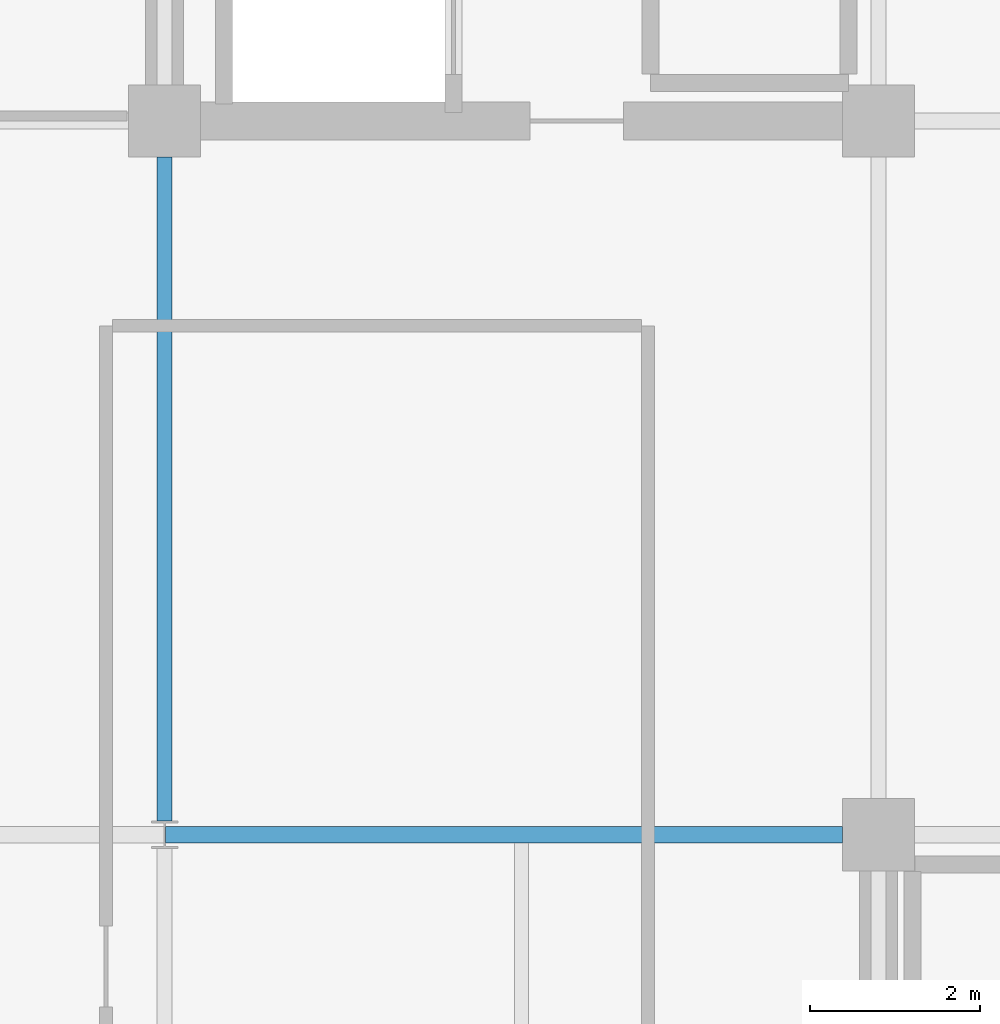
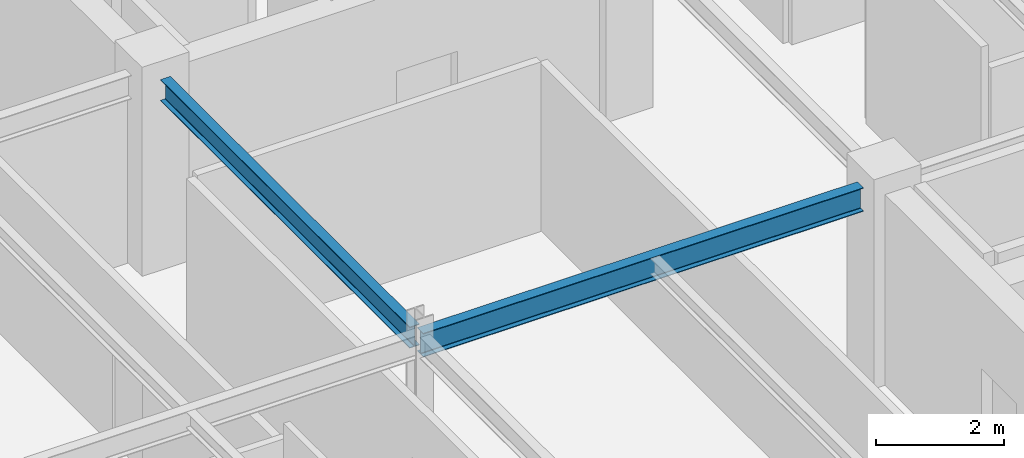
# One storey, part 10 of 26: 2 beams.
"""IFC4 building model written with IfcOpenShell, lengths in metres."""

from ifc_helpers import new_model, si_unit, direction, frame, origin, origin_2d, place, context, subcontext, project, spatial, i_section, extrude, material, material_profile, profile_set, type_object, element, save


model = new_model("IFC4")

# Units and contexts
model_context = context("Model", 3, precision=1e-05, world=origin(), true_north=direction((0.0, 1.0)))
body_context = subcontext(model_context, "Body", "Model", "MODEL_VIEW")
ifc_project = project(units=[si_unit("LENGTHUNIT", "METRE"), si_unit("AREAUNIT", "SQUARE_METRE"), si_unit("VOLUMEUNIT", "CUBIC_METRE"), si_unit("PLANEANGLEUNIT", "RADIAN"), si_unit("MASSUNIT", "GRAM", prefix="KILO")], contexts=[model_context])

# Site, building, storey
site_placement = place(None, origin())
site = spatial("IfcSite", under=ifc_project, at=site_placement, CompositionType="ELEMENT")
building_placement = place(site_placement, origin())
building = spatial("IfcBuilding", under=site, at=building_placement, Name="Nerrivon Quay Data Exchange", CompositionType="ELEMENT")
storey_placement = place(building_placement, frame((0.0, 0.0, 282.199951171875)))
storey = spatial("IfcBuildingStorey", under=building, at=storey_placement, Name="L67", CompositionType="ELEMENT", Elevation=282.199951171875)

# Beams
ifc_material = material(Name="Steel Grade 350", Category="steel")
ifc_material_profile_1 = material_profile(ifc_material, i_section(OverallWidth=0.18994140625, OverallDepth=0.4541015625, WebThickness=0.008544921875, FlangeThickness=0.0126953125, FilletRadius=0.011474609375, at=origin_2d()), Name="460UB67.1")
ifc_profile_set_1 = profile_set([ifc_material_profile_1], Name="Steel Grade 350")
beam_type_1 = type_object("IfcBeamType", Name="BM-G6-460UB67", PredefinedType="BEAM", material=ifc_profile_set_1)
beam_1_placement = place(storey_placement, frame((8.40771484375, 16.800048828125, 3.423095703125), z_axis=(1.0, 0.0, 0.0), x_axis=(0.0, 1.0, 0.0)))
element("IfcBeam", 1, at=beam_1_placement, inside=storey, type_object=beam_type_1, Name="L67 EW Girder Y=16.8 (8.4..16.8)", PredefinedType="BEAM", context=body_context, shape_type="SweptSolid", body=[
    extrude(i_section(OverallWidth=0.18994140625, OverallDepth=0.4541015625, WebThickness=0.008544921875, FlangeThickness=0.0126953125, FilletRadius=0.011474609375, at=origin_2d()), origin(), (0.0, 0.0, 1.0), 7.96728515625),
])
ifc_material_profile_2 = material_profile(ifc_material, i_section(OverallWidth=0.177978515625, OverallDepth=0.406005859375, WebThickness=0.0078125, FlangeThickness=0.0126953125, FilletRadius=0.011474609375, at=origin_2d()), Name="410UB59.7")
ifc_profile_set_2 = profile_set([ifc_material_profile_2], Name="Steel Grade 350")
beam_type_2 = type_object("IfcBeamType", Name="BM-J1-410UB60", PredefinedType="JOIST", material=ifc_profile_set_2)
beam_2_placement = place(storey_placement, frame((8.39990234375, 16.96337890625, 3.447021484375), z_axis=(0.0, 1.0, 0.0), x_axis=(-1.0, 0.0, 0.0)))
element("IfcBeam", 2, at=beam_2_placement, inside=storey, type_object=beam_type_2, Name="L67 NS Girder X=8.4 (16.8..25.2)", PredefinedType="JOIST", context=body_context, shape_type="SweptSolid", body=[
    extrude(i_section(OverallWidth=0.177978515625, OverallDepth=0.406005859375, WebThickness=0.0078125, FlangeThickness=0.0126953125, FilletRadius=0.011474609375, at=origin_2d()), origin(), (0.0, 0.0, 1.0), 7.8115234375),
])

save(model, "model.ifc")
